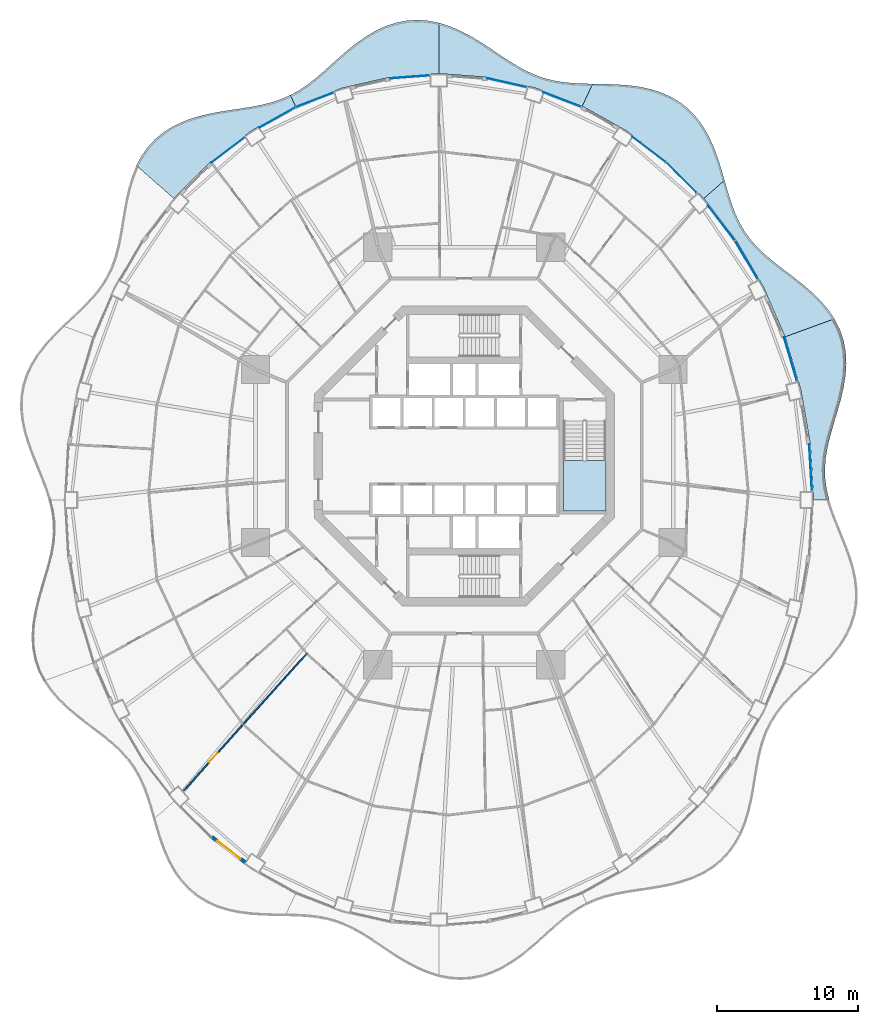
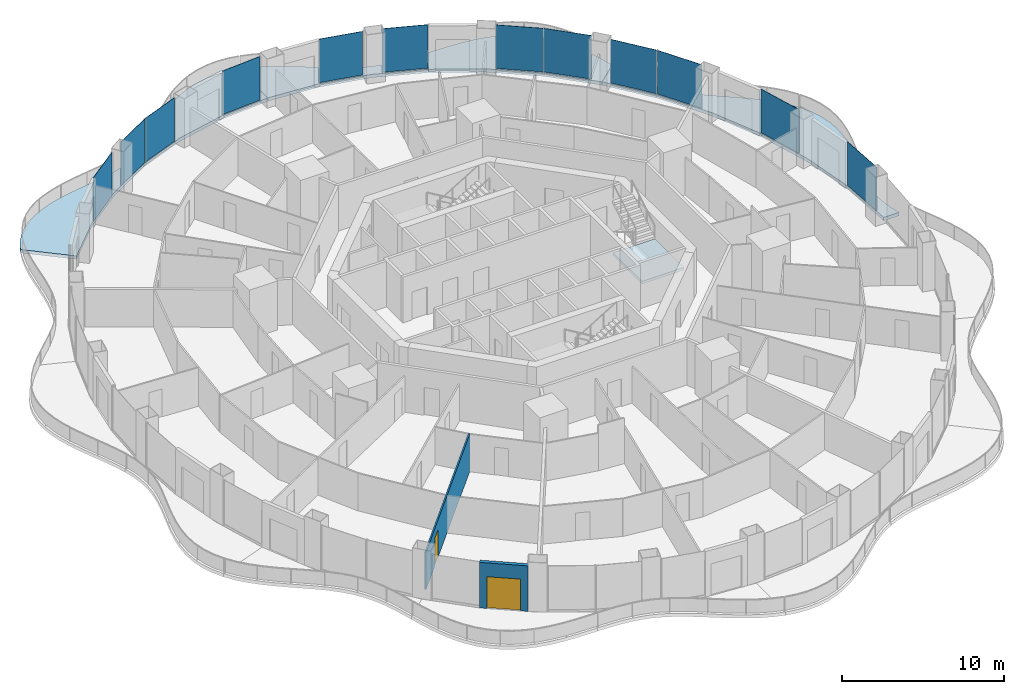
# One storey, part 12 of 21: 12 plates, 7 slabs, 2 doors, 2 walls, 2 openings, 13 elements without a shape of their own.
"""IFC4 building model written with IfcOpenShell, lengths in metres."""

from ifc_helpers import new_model, si_unit, direction, frame, frame_2d, origin, origin_2d, place, context, subcontext, project, spatial, polyline, rectangle, outline, extrude, material, layer, layer_set, type_object, element, fill, aggregate, save


model = new_model("IFC4")

# Units and contexts
model_context = context("Model", 3, precision=1e-05, world=origin(), true_north=direction((0.0, 1.0)))
body_context = subcontext(model_context, "Body", "Model", "MODEL_VIEW")
ifc_project = project(units=[si_unit("LENGTHUNIT", "METRE"), si_unit("AREAUNIT", "SQUARE_METRE"), si_unit("VOLUMEUNIT", "CUBIC_METRE"), si_unit("PLANEANGLEUNIT", "RADIAN"), si_unit("MASSUNIT", "GRAM", prefix="KILO")], contexts=[model_context])

# Site, building, storey
site_placement = place(None, origin())
site = spatial("IfcSite", under=ifc_project, at=site_placement, CompositionType="ELEMENT")
building_placement = place(site_placement, origin())
building = spatial("IfcBuilding", under=site, at=building_placement, Name="Nagisa Residences", CompositionType="ELEMENT")
storey_placement = place(building_placement, frame((0.0, 0.0, 134.39990234375)))
storey = spatial("IfcBuildingStorey", under=building, at=storey_placement, Name="L33", CompositionType="ELEMENT", Elevation=134.39990234375)

# Slabs
ifc_material_1 = material(Name="Concrete C40/50", Category="concrete")
ifc_layer_1 = layer(ifc_material_1, 0.25)
ifc_layer_set_1 = layer_set([ifc_layer_1], Name="BALCONY SLAB 250")
slab_type_1 = type_object("IfcSlabType", Name="BALCONY SLAB 250", PredefinedType="FLOOR", material=ifc_layer_set_1)
slab_1_placement = place(storey_placement, frame((0.0, 0.0, -0.25)))
element("IfcSlab", 1, at=slab_1_placement, inside=storey, type_object=slab_type_1, Name="slab:L33:bal00", PredefinedType="FLOOR", context=body_context, shape_type="SweptSolid", body=[
    extrude(outline(polyline([(25.841552734375, -3.11767578125), (25.65966796875, -2.36083984375), (25.556640625, -1.607666015625), (25.53759765625, -0.852294921875), (25.600830078125, -0.08837890625), (25.7373046875, 0.68896484375), (25.932373046875, 1.4833984375), (26.166015625, 2.296875), (26.41455078125, 3.12841796875), (26.652099609375, 3.975341796875), (26.852783203125, 4.831787109375), (26.99169921875, 5.69091796875), (27.04833984375, 6.543701171875), (27.005615234375, 7.380615234375), (26.853759765625, 8.192626953125), (26.588134765625, 8.971435546875), (26.2119140625, 9.710205078125), (22.715087890625, 8.4375), (23.830810546875, 4.697265625), (24.508056640625, 0.823486328125), (24.735107421875, -3.11767578125), (25.841552734375, -3.11767578125)])), origin(), (0.0, 0.0, 1.0), 0.25),
])
slab_2_placement = place(storey_placement, frame((0.0, 0.0, -0.25)))
element("IfcSlab", 2, at=slab_2_placement, inside=storey, type_object=slab_type_1, Name="slab:L33:bal01", PredefinedType="FLOOR", context=body_context, shape_type="SweptSolid", body=[
    extrude(outline(polyline([(26.2119140625, 9.710205078125), (25.75048828125, 10.384521484375), (25.207275390625, 11.0166015625), (24.60009765625, 11.608154296875), (23.949462890625, 12.16455078125), (23.27734375, 12.693115234375), (22.60595703125, 13.203369140625), (21.955322265625, 13.707275390625), (21.34375, 14.216552734375), (20.784423828125, 14.743896484375), (20.2861328125, 15.300048828125), (19.852783203125, 15.89404296875), (19.482421875, 16.531982421875), (19.167724609375, 17.217041015625), (18.8974609375, 17.947265625), (18.65625, 18.7177734375), (18.42626953125, 19.519287109375), (16.963134765625, 18.2333984375), (19.251708984375, 15.263916015625), (21.179931640625, 11.979736328125), (22.715087890625, 8.4375), (26.2119140625, 9.710205078125)])), origin(), (0.0, 0.0, 1.0), 0.25),
])
slab_3_placement = place(storey_placement, frame((0.0, 0.0, -0.25)))
element("IfcSlab", 3, at=slab_3_placement, inside=storey, type_object=slab_type_1, Name="slab:L33:bal02", PredefinedType="FLOOR", context=body_context, shape_type="SweptSolid", body=[
    extrude(outline(polyline([(18.42626953125, 19.519287109375), (18.200439453125, 20.300048828125), (17.951904296875, 21.08349609375), (17.66552734375, 21.85498046875), (17.328369140625, 22.59814453125), (16.930908203125, 23.297607421875), (16.46630859375, 23.939208984375), (15.93212890625, 24.51123046875), (15.32958984375, 25.004150390625), (14.663330078125, 25.4130859375), (13.94140625, 25.737060546875), (13.17431640625, 25.97900390625), (12.3740234375, 26.146728515625), (11.5537109375, 26.251708984375), (10.72607421875, 26.30859375), (9.90283203125, 26.334716796875), (9.09423828125, 26.348388671875), (8.3544921875, 24.77880859375), (11.467529296875, 23.031982421875), (14.353515625, 20.837646484375), (16.963134765625, 18.2333984375), (18.42626953125, 19.519287109375)])), origin(), (0.0, 0.0, 1.0), 0.25),
])
slab_4_placement = place(storey_placement, frame((0.0, 0.0, -0.25)))
element("IfcSlab", 4, at=slab_4_placement, inside=storey, type_object=slab_type_1, Name="slab:L33:bal03", PredefinedType="FLOOR", context=body_context, shape_type="SweptSolid", body=[
    extrude(outline(polyline([(9.09423828125, 26.348388671875), (8.3359375, 26.367431640625), (7.602783203125, 26.407958984375), (6.896484375, 26.484375), (6.21630859375, 26.60791015625), (5.559326171875, 26.785888671875), (4.92041015625, 27.022216796875), (4.29345703125, 27.31640625), (3.671142578125, 27.66357421875), (3.0458984375, 28.053955078125), (2.4111328125, 28.475341796875), (1.760986328125, 28.911376953125), (1.091064453125, 29.344482421875), (0.399169921875, 29.755126953125), (-0.31494140625, 30.124755859375), (-1.04931640625, 30.435302734375), (-1.800048828125, 30.6708984375), (-1.800048828125, 27.077392578125), (1.66357421875, 26.819091796875), (5.06787109375, 26.04833984375), (8.3544921875, 24.77880859375), (9.09423828125, 26.348388671875)])), origin(), (0.0, 0.0, 1.0), 0.25),
])
slab_5_placement = place(storey_placement, frame((0.0, 0.0, -0.25)))
element("IfcSlab", 5, at=slab_5_placement, inside=storey, type_object=slab_type_1, Name="slab:L33:bal04", PredefinedType="FLOOR", context=body_context, shape_type="SweptSolid", body=[
    extrude(outline(polyline([(-1.800048828125, 30.6708984375), (-2.5615234375, 30.819091796875), (-3.3271484375, 30.871337890625), (-4.08935546875, 30.8232421875), (-4.841064453125, 30.6748046875), (-5.57568359375, 30.43115234375), (-6.287353515625, 30.10107421875), (-6.972412109375, 29.69775390625), (-7.629150390625, 29.236572265625), (-8.258056640625, 28.73583984375), (-8.861572265625, 28.213623046875), (-9.44482421875, 27.689208984375), (-10.014404296875, 27.1796875), (-10.577880859375, 26.70068359375), (-11.143798828125, 26.263916015625), (-11.72119140625, 25.87841796875), (-12.3173828125, 25.548828125), (-11.95458984375, 24.77880859375), (-8.667724609375, 26.04833984375), (-5.263427734375, 26.819091796875), (-1.800048828125, 27.077392578125), (-1.800048828125, 30.6708984375)])), origin(), (0.0, 0.0, 1.0), 0.25),
])
slab_6_placement = place(storey_placement, frame((0.0, 0.0, -0.25)))
element("IfcSlab", 6, at=slab_6_placement, inside=storey, type_object=slab_type_1, Name="slab:L33:bal05", PredefinedType="FLOOR", context=body_context, shape_type="SweptSolid", body=[
    extrude(outline(polyline([(-12.3173828125, 25.548828125), (-12.963134765625, 25.26611328125), (-13.641357421875, 25.03955078125), (-14.354248046875, 24.86083984375), (-15.10107421875, 24.71728515625), (-15.877685546875, 24.59423828125), (-16.676513671875, 24.474853515625), (-17.4873046875, 24.341552734375), (-18.2978515625, 24.177734375), (-19.09423828125, 23.967529296875), (-19.86181640625, 23.6982421875), (-20.5869140625, 23.3603515625), (-21.25634765625, 22.947998046875), (-21.860107421875, 22.458740234375), (-22.390625, 21.89501953125), (-22.844482421875, 21.262451171875), (-23.2216796875, 20.569580078125), (-20.56298828125, 18.2333984375), (-17.953369140625, 20.837646484375), (-15.0673828125, 23.031982421875), (-11.95458984375, 24.77880859375), (-12.3173828125, 25.548828125)])), origin(), (0.0, 0.0, 1.0), 0.25),
])

# Curtain wall, plate
ifc_material_2 = material(Name="Concrete-coloured aluminium curtain wall system", Category="concrete")
ifc_layer_2 = layer(ifc_material_2, 0.159912109375)
ifc_layer_set_2 = layer_set([ifc_layer_2], Name="CW1 CURTAIN WALL")
curtain_wall_type = type_object("IfcCurtainWallType", Name="CW1 CURTAIN WALL", PredefinedType="NOTDEFINED", material=ifc_layer_set_2)
curtain_wall_1_placement = place(storey_placement, origin())
curtain_wall_1 = element("IfcCurtainWall", 7, at=curtain_wall_1_placement, inside=storey, type_object=curtain_wall_type, Name="cw:CW1:L33:00", PredefinedType="NOTDEFINED")
ifc_material_3 = material(Name="Clear laminated glass", Category="glass")
ifc_layer_3 = layer(ifc_material_3, 0.028076171875)
ifc_layer_set_3 = layer_set([ifc_layer_3], Name="CW1 GLASS PANEL")
plate_type = type_object("IfcPlateType", Name="CW1 GLASS PANEL", PredefinedType="CURTAIN_PANEL", material=ifc_layer_set_3)
plate_1_placement = place(storey_placement, frame((24.522705078125, -0.822265625, 0.150146484375), z_axis=(0.0, 0.0, 1.0), x_axis=(-0.057503492216, 0.998345305184, 0.0)))
plate_1 = element("IfcPlate", 8, at=plate_1_placement, type_object=plate_type, Name="CW1 panel", PredefinedType="CURTAIN_PANEL", context=body_context, shape_type="SweptSolid", body=[
    extrude(rectangle(XDim=3.287841796875, YDim=0.028076171875, at=origin_2d()), origin(), (0.0, 0.0, 1.0), 3.2900390625),
])
aggregate(curtain_wall_1, [plate_1])

curtain_wall_2_placement = place(storey_placement, origin())
curtain_wall_2 = element("IfcCurtainWall", 9, at=curtain_wall_2_placement, inside=storey, type_object=curtain_wall_type, Name="cw:CW1:L33:02", PredefinedType="NOTDEFINED")
plate_2_placement = place(storey_placement, frame((23.10205078125, 6.86083984375, 0.150146484375), z_axis=(0.0, 0.0, 1.0), x_axis=(-0.285860274038, 0.958271310082, 0.0)))
plate_2 = element("IfcPlate", 10, at=plate_2_placement, type_object=plate_type, Name="CW1 panel", PredefinedType="CURTAIN_PANEL", context=body_context, shape_type="SweptSolid", body=[
    extrude(rectangle(XDim=3.242919921875, YDim=0.028076171875, at=origin_2d()), origin(), (0.0, 0.0, 1.0), 3.2900390625),
])
aggregate(curtain_wall_2, [plate_2])

curtain_wall_3_placement = place(storey_placement, origin())
curtain_wall_3 = element("IfcCurtainWall", 11, at=curtain_wall_3_placement, inside=storey, type_object=curtain_wall_type, Name="cw:CW1:L33:04", PredefinedType="NOTDEFINED")
plate_3_placement = place(storey_placement, frame((19.979736328125, 13.865966796875, 0.150146484375), z_axis=(0.0, 0.0, 1.0), x_axis=(-0.506348567002, 0.862328898214, 0.0)))
plate_3 = element("IfcPlate", 12, at=plate_3_placement, type_object=plate_type, Name="CW1 panel", PredefinedType="CURTAIN_PANEL", context=body_context, shape_type="SweptSolid", body=[
    extrude(rectangle(XDim=3.1484375, YDim=0.028076171875, at=origin_2d()), origin(), (0.0, 0.0, 1.0), 3.2900390625),
])
aggregate(curtain_wall_3, [plate_3])

curtain_wall_4_placement = place(storey_placement, origin())
curtain_wall_4 = element("IfcCurtainWall", 13, at=curtain_wall_4_placement, inside=storey, type_object=curtain_wall_type, Name="cw:CW1:L33:05", PredefinedType="NOTDEFINED")
plate_4_placement = place(storey_placement, frame((18.208740234375, 16.48583984375, 0.150146484375), z_axis=(0.0, 0.0, 1.0), x_axis=(-0.610429828235, 0.792070340816, 0.0)))
plate_4 = element("IfcPlate", 14, at=plate_4_placement, type_object=plate_type, Name="CW1 panel", PredefinedType="CURTAIN_PANEL", context=body_context, shape_type="SweptSolid", body=[
    extrude(rectangle(XDim=3.089111328125, YDim=0.028076171875, at=origin_2d()), origin(), (0.0, 0.0, 1.0), 3.2900390625),
])
aggregate(curtain_wall_4, [plate_4])

curtain_wall_5_placement = place(storey_placement, origin())
curtain_wall_5 = element("IfcCurtainWall", 15, at=curtain_wall_5_placement, inside=storey, type_object=curtain_wall_type, Name="cw:CW1:L33:06", PredefinedType="NOTDEFINED")
plate_5_placement = place(storey_placement, frame((15.3681640625, 19.7119140625, 0.150146484375), z_axis=(0.0, 0.0, 1.0), x_axis=(-0.707835924016, 0.706376885714, 0.0)))
plate_5 = element("IfcPlate", 16, at=plate_5_placement, type_object=plate_type, Name="CW1 panel", PredefinedType="CURTAIN_PANEL", context=body_context, shape_type="SweptSolid", body=[
    extrude(rectangle(XDim=3.026611328125, YDim=0.028076171875, at=origin_2d()), origin(), (0.0, 0.0, 1.0), 3.2900390625),
])
aggregate(curtain_wall_5, [plate_5])

curtain_wall_6_placement = place(storey_placement, origin())
curtain_wall_6 = element("IfcCurtainWall", 17, at=curtain_wall_6_placement, inside=storey, type_object=curtain_wall_type, Name="cw:CW1:L33:07", PredefinedType="NOTDEFINED")
plate_6_placement = place(storey_placement, frame((13.076904296875, 21.707763671875, 0.150146484375), z_axis=(0.0, 0.0, 1.0), x_axis=(-0.79603132756, 0.605255421737, 0.0)))
plate_6 = element("IfcPlate", 18, at=plate_6_placement, type_object=plate_type, Name="CW1 panel", PredefinedType="CURTAIN_PANEL", context=body_context, shape_type="SweptSolid", body=[
    extrude(rectangle(XDim=2.965576171875, YDim=0.028076171875, at=origin_2d()), origin(), (0.0, 0.0, 1.0), 3.2900390625),
])
aggregate(curtain_wall_6, [plate_6])

curtain_wall_7_placement = place(storey_placement, origin())
curtain_wall_7 = element("IfcCurtainWall", 19, at=curtain_wall_7_placement, inside=storey, type_object=curtain_wall_type, Name="cw:CW1:L33:09", PredefinedType="NOTDEFINED")
plate_7_placement = place(storey_placement, frame((6.93408203125, 25.24169921875, 0.150146484375), z_axis=(0.0, 0.0, 1.0), x_axis=(-0.932825759707, 0.360327770268, 0.0)))
plate_7 = element("IfcPlate", 20, at=plate_7_placement, type_object=plate_type, Name="CW1 panel", PredefinedType="CURTAIN_PANEL", context=body_context, shape_type="SweptSolid", body=[
    extrude(rectangle(XDim=2.863525390625, YDim=0.028076171875, at=origin_2d()), origin(), (0.0, 0.0, 1.0), 3.2900390625),
])
aggregate(curtain_wall_7, [plate_7])

curtain_wall_8_placement = place(storey_placement, origin())
curtain_wall_8 = element("IfcCurtainWall", 21, at=curtain_wall_8_placement, inside=storey, type_object=curtain_wall_type, Name="cw:CW1:L33:10", PredefinedType="NOTDEFINED")
plate_8_placement = place(storey_placement, frame((3.026123046875, 26.428466796875, 0.150146484375), z_axis=(0.0, 0.0, 1.0), x_axis=(-0.975327274089, 0.2207639201, 0.0)))
plate_8 = element("IfcPlate", 22, at=plate_8_placement, type_object=plate_type, Name="CW1 panel", PredefinedType="CURTAIN_PANEL", context=body_context, shape_type="SweptSolid", body=[
    extrude(rectangle(XDim=2.830322265625, YDim=0.028076171875, at=origin_2d()), origin(), (0.0, 0.0, 1.0), 3.2900390625),
])
aggregate(curtain_wall_8, [plate_8])

curtain_wall_9_placement = place(storey_placement, origin())
curtain_wall_9 = element("IfcCurtainWall", 23, at=curtain_wall_9_placement, inside=storey, type_object=curtain_wall_type, Name="cw:CW1:L33:12", PredefinedType="NOTDEFINED")
plate_9_placement = place(storey_placement, frame((-3.85498046875, 26.84375, 0.150146484375), z_axis=(0.0, 0.0, 1.0), x_axis=(-0.997230168512, -0.074377355493, 0.0)))
plate_9 = element("IfcPlate", 24, at=plate_9_placement, type_object=plate_type, Name="CW1 panel", PredefinedType="CURTAIN_PANEL", context=body_context, shape_type="SweptSolid", body=[
    extrude(rectangle(XDim=2.813232421875, YDim=0.028076171875, at=origin_2d()), origin(), (0.0, 0.0, 1.0), 3.2900390625),
])
aggregate(curtain_wall_9, [plate_9])

curtain_wall_10_placement = place(storey_placement, origin())
curtain_wall_10 = element("IfcCurtainWall", 25, at=curtain_wall_10_placement, inside=storey, type_object=curtain_wall_type, Name="cw:CW1:L33:14", PredefinedType="NOTDEFINED")
plate_10_placement = place(storey_placement, frame((-10.590087890625, 25.22021484375, 0.150146484375), z_axis=(0.0, 0.0, 1.0), x_axis=(-0.932825759707, -0.360327770268, 0.0)))
plate_10 = element("IfcPlate", 26, at=plate_10_placement, type_object=plate_type, Name="CW1 panel", PredefinedType="CURTAIN_PANEL", context=body_context, shape_type="SweptSolid", body=[
    extrude(rectangle(XDim=2.863525390625, YDim=0.028076171875, at=origin_2d()), origin(), (0.0, 0.0, 1.0), 3.2900390625),
])
aggregate(curtain_wall_10, [plate_10])

curtain_wall_11_placement = place(storey_placement, origin())
curtain_wall_11 = element("IfcCurtainWall", 27, at=curtain_wall_11_placement, inside=storey, type_object=curtain_wall_type, Name="cw:CW1:L33:15", PredefinedType="NOTDEFINED")
plate_11_placement = place(storey_placement, frame((-13.236328125, 23.9677734375, 0.150146484375), z_axis=(0.0, 0.0, 1.0), x_axis=(-0.872072377523, -0.489376918501, 0.0)))
plate_11 = element("IfcPlate", 28, at=plate_11_placement, type_object=plate_type, Name="CW1 panel", PredefinedType="CURTAIN_PANEL", context=body_context, shape_type="SweptSolid", body=[
    extrude(rectangle(XDim=2.90966796875, YDim=0.028076171875, at=origin_2d()), origin(), (0.0, 0.0, 1.0), 3.2900390625),
])
aggregate(curtain_wall_11, [plate_11])

curtain_wall_12_placement = place(storey_placement, origin())
curtain_wall_12 = element("IfcCurtainWall", 29, at=curtain_wall_12_placement, inside=storey, type_object=curtain_wall_type, Name="cw:CW1:L33:16", PredefinedType="NOTDEFINED")
plate_12_placement = place(storey_placement, frame((-16.724853515625, 21.67138671875, 0.150146484375), z_axis=(0.0, 0.0, 1.0), x_axis=(-0.79603132756, -0.605255421737, 0.0)))
plate_12 = element("IfcPlate", 30, at=plate_12_placement, type_object=plate_type, Name="CW1 panel", PredefinedType="CURTAIN_PANEL", context=body_context, shape_type="SweptSolid", body=[
    extrude(rectangle(XDim=2.965576171875, YDim=0.028076171875, at=origin_2d()), origin(), (0.0, 0.0, 1.0), 3.2900390625),
])
aggregate(curtain_wall_12, [plate_12])

# Stair, slab
ifc_material_4 = material(Name="Concrete C60", Category="concrete")
stair_type = type_object("IfcStairType", Name="Exit stair", PredefinedType="HALF_TURN_STAIR", material=ifc_material_4)
stair_placement = place(storey_placement, origin())
stair = element("IfcStair", 31, at=stair_placement, inside=storey, type_object=stair_type, Name="L33 Exit stair E", PredefinedType="HALF_TURN_STAIR")
ifc_material_5 = material(Name="Concrete C60", Category="concrete")
ifc_layer_4 = layer(ifc_material_5, 0.199951171875)
ifc_layer_set_4 = layer_set([ifc_layer_4], Name="Stair landing")
slab_type_2 = type_object("IfcSlabType", Name="Stair landing", PredefinedType="LANDING", material=ifc_layer_set_4)
slab_7_placement = place(storey_placement, frame((0.0, 0.0, 1.650146484375)))
slab_7 = element("IfcSlab", 32, at=slab_7_placement, type_object=slab_type_2, Name="ST-E landing 1", PredefinedType="LANDING", context=body_context, shape_type="SweptSolid", body=[
    extrude(outline(polyline([(7.024658203125, -0.324951171875), (7.024658203125, -3.89990234375), (10.024658203125, -3.89990234375), (10.024658203125, -0.324951171875), (7.024658203125, -0.324951171875)])), origin(), (0.0, 0.0, 1.0), 0.199951171875),
])
aggregate(stair, [slab_7])

# Wall, opening, door
ifc_material_6 = material(Name="Gypsum board on steel studs", Category="steel")
ifc_layer_5 = layer(ifc_material_6, 0.10009765625)
ifc_layer_set_5 = layer_set([ifc_layer_5], Name="Apartment partition 100")
wall_type_1 = type_object("IfcWallType", Name="Apartment partition 100", PredefinedType="PARTITIONING", material=ifc_layer_set_5)
wall_1_placement = place(storey_placement, frame((-11.10888671875, -13.95068359375, 0.0), z_axis=(0.0, 0.0, 1.0), x_axis=(-0.668488676691, -0.743722319913, 0.0)))
wall_1 = element("IfcWall", 33, at=wall_1_placement, inside=storey, type_object=wall_type_1, Name="wall:L33:u67", PredefinedType="PARTITIONING", context=body_context, shape_type="SweptSolid", body=[
    extrude(rectangle(XDim=13.093994140625, YDim=0.10009765625, at=frame_2d((6.546875, 0.0))), origin(), (0.0, 0.0, 1.0), 2.828125),
])
opening_1_placement = place(wall_1_placement, frame((9.500244140625, 0.0, 0.0)))
opening_1 = element("IfcOpeningElement", 34, at=opening_1_placement, cuts=wall_1, Name="Opening L33-U17", PredefinedType="OPENING", context=body_context, shape_type="SweptSolid", body=[
    extrude(rectangle(XDim=0.89990234375, YDim=2.10009765625, at=frame_2d((0.449951171875, 1.050048828125))), frame((0.0, 0.06005859375, 0.0), z_axis=(0.0, -1.0, 0.0), x_axis=(1.0, 0.0, 0.0)), (0.0, 0.0, 1.0), 0.1201171875),
])
ifc_material_7 = material(Name="Timber door set", Category="wood")
door_type_1 = type_object("IfcDoorType", Name="Apartment door 900x2100", OperationType="NOTDEFINED", PredefinedType="DOOR", material=ifc_material_7)
door_1_placement = place(opening_1_placement, origin())
door_1 = element("IfcDoor", 35, at=door_1_placement, inside=storey, type_object=door_type_1, Name="Door to master bedroom, Apartment 33B", OperationType="SINGLE_SWING_LEFT", OverallHeight=2.10009765625, OverallWidth=0.89990234375, PredefinedType="DOOR", context=body_context, shape_type="SweptSolid", body=[
    extrude(rectangle(XDim=0.89990234375, YDim=2.10009765625, at=frame_2d((0.449951171875, 1.050048828125))), frame((0.0, 0.02490234375, 0.0), z_axis=(0.0, -1.0, 0.0), x_axis=(1.0, 0.0, 0.0)), (0.0, 0.0, 1.0), 0.050048828125),
])
fill(opening_1, door_1)

ifc_material_8 = material(Name="Precast concrete C40/50", Category="concrete")
ifc_layer_6 = layer(ifc_material_8, 0.25)
ifc_layer_set_6 = layer_set([ifc_layer_6], Name="BALCONY DOOR WALL 250")
wall_type_2 = type_object("IfcWallType", Name="BALCONY DOOR WALL 250", PredefinedType="SOLIDWALL", material=ifc_layer_set_6)
wall_2_placement = place(storey_placement, frame((-15.469482421875, -28.8046875, 0.0), z_axis=(0.0, 0.0, 1.0), x_axis=(-0.796022231079, 0.605267385233, 0.0)))
wall_2 = element("IfcWall", 36, at=wall_2_placement, inside=storey, type_object=wall_type_2, Name="wall:L33:bay31", PredefinedType="SOLIDWALL", context=body_context, shape_type="SweptSolid", body=[
    extrude(rectangle(XDim=3.025634765625, YDim=0.25, at=frame_2d((1.5126953125, 0.0))), origin(), (0.0, 0.0, 1.0), 3.440185546875),
])
opening_2_placement = place(wall_2_placement, frame((0.462646484375, 0.0, 0.0)))
opening_2 = element("IfcOpeningElement", 37, at=opening_2_placement, cuts=wall_2, Name="Opening BD-L33-11", PredefinedType="OPENING", context=body_context, shape_type="SweptSolid", body=[
    extrude(rectangle(XDim=2.10009765625, YDim=2.39990234375, at=frame_2d((1.050048828125, 1.199951171875))), frame((0.0, 0.135009765625, 0.0), z_axis=(0.0, -1.0, 0.0), x_axis=(1.0, 0.0, 0.0)), (0.0, 0.0, 1.0), 0.27001953125),
])
ifc_material_9 = material(Name="Aluminium and clear glass", Category="aluminium")
door_type_2 = type_object("IfcDoorType", Name="BALCONY SLIDING DOOR 2100x2400", OperationType="SLIDING_TO_LEFT", PredefinedType="DOOR", material=ifc_material_9)
door_2_placement = place(opening_2_placement, origin())
door_2 = element("IfcDoor", 38, at=door_2_placement, inside=storey, type_object=door_type_2, Name="door:L33:bay31", OperationType="SLIDING_TO_LEFT", OverallHeight=2.39990234375, OverallWidth=2.10009765625, PredefinedType="DOOR", context=body_context, shape_type="SweptSolid", body=[
    extrude(rectangle(XDim=2.10009765625, YDim=2.39990234375, at=frame_2d((1.050048828125, 1.199951171875))), frame((0.0, 0.02490234375, 0.0), z_axis=(0.0, -1.0, 0.0), x_axis=(1.0, 0.0, 0.0)), (0.0, 0.0, 1.0), 0.050048828125),
])
fill(opening_2, door_2)

save(model, "model.ifc")
